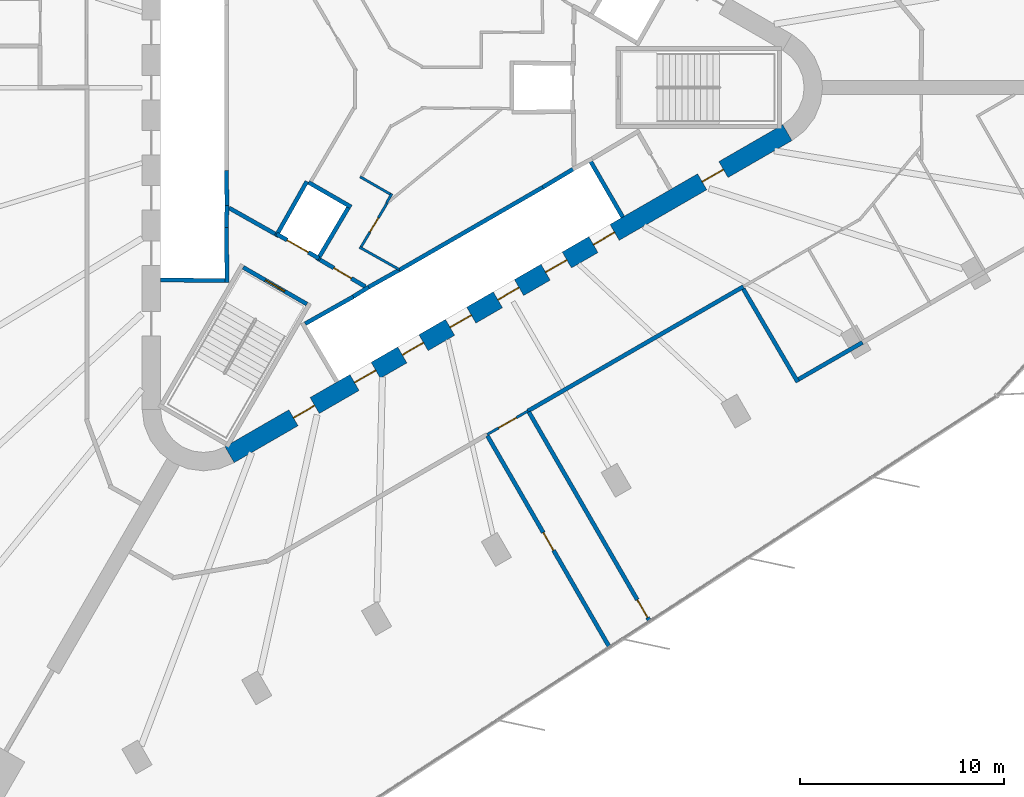
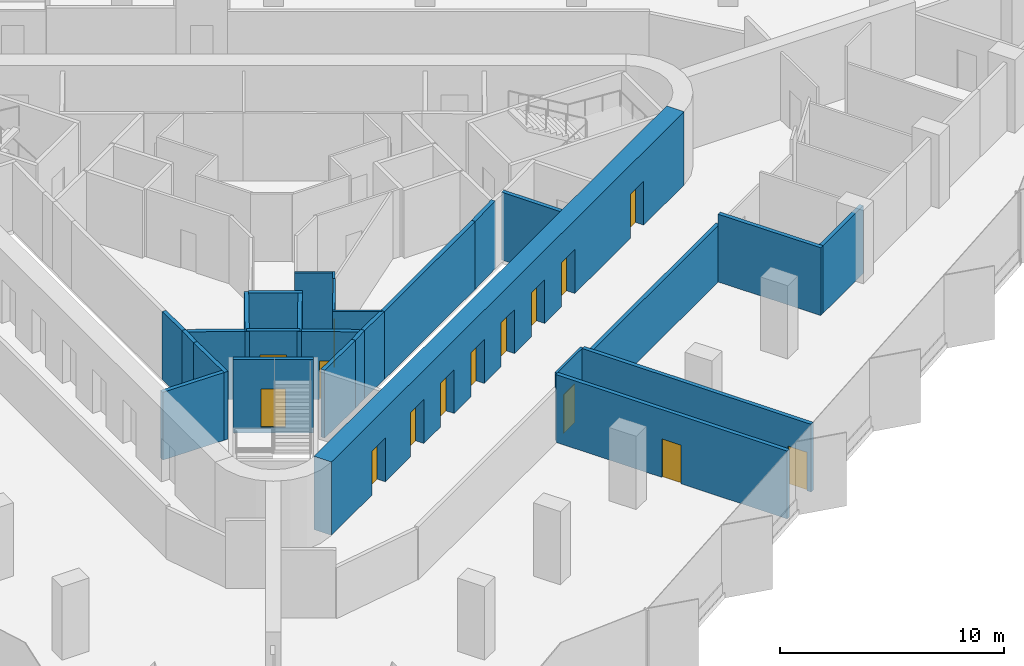
# One storey, part 8 of 14: 28 walls, 15 doors, 15 openings.
"""IFC4 building model written with IfcOpenShell, lengths in metres."""

from ifc_helpers import new_model, si_unit, direction, frame, frame_2d, origin, place, context, subcontext, project, spatial, rectangle, extrude, material, layer, layer_set, type_object, element, fill, save


model = new_model("IFC4")

# Units and contexts
model_context = context("Model", 3, precision=1e-05, world=origin(), true_north=direction((0.0, 1.0)))
body_context = subcontext(model_context, "Body", "Model", "MODEL_VIEW")
ifc_project = project(units=[si_unit("LENGTHUNIT", "METRE"), si_unit("AREAUNIT", "SQUARE_METRE"), si_unit("VOLUMEUNIT", "CUBIC_METRE"), si_unit("PLANEANGLEUNIT", "RADIAN"), si_unit("MASSUNIT", "GRAM", prefix="KILO")], contexts=[model_context])

# Site, building, storey
site_placement = place(None, origin())
site = spatial("IfcSite", under=ifc_project, at=site_placement, CompositionType="ELEMENT")
building_placement = place(site_placement, origin())
building = spatial("IfcBuilding", under=site, at=building_placement, Name="Tanit Gate Tower", CompositionType="ELEMENT")
storey_placement = place(building_placement, frame((0.0, 0.0, 213.199951171875)))
storey = spatial("IfcBuildingStorey", under=building, at=storey_placement, Name="L47", CompositionType="ELEMENT", Elevation=213.199951171875)

# Wall, openings, doors
ifc_material_1 = material(Name="Concrete C50/60", Category="concrete")
ifc_layer_1 = layer(ifc_material_1, 0.89990234375)
ifc_layer_set_1 = layer_set([ifc_layer_1], Name="CORE WALL 900 C50/60")
wall_type_1 = type_object("IfcWallType", Name="CORE WALL 900 C50/60", PredefinedType="SHEAR", material=ifc_layer_set_1)
wall_1_placement = place(storey_placement, frame((-7.824951171875, -17.969970703125, 0.0), z_axis=(0.0, 0.0, 1.0), x_axis=(0.866028369851, 0.499994862586, 0.0)))
wall_1 = element("IfcWall", 1, at=wall_1_placement, inside=storey, type_object=wall_type_1, Name="CORE WALL", PredefinedType="SHEAR", context=body_context, shape_type="SweptSolid", body=[
    extrude(rectangle(XDim=31.523193359375, YDim=0.89990234375, at=frame_2d((15.76171875, 0.0))), origin(), (0.0, 0.0, 1.0), 4.0),
])
opening_1_placement = place(wall_1_placement, frame((7.061767578125, 0.0, 0.0)))
opening_1 = element("IfcOpeningElement", 2, at=opening_1_placement, cuts=wall_1, Name="Opening LDSX1-S12", PredefinedType="OPENING", context=body_context, shape_type="SweptSolid", body=[
    extrude(rectangle(XDim=1.199951171875, YDim=2.39990234375, at=frame_2d((0.60009765625, 1.199951171875))), frame((0.0, 0.4599609375, 0.0), z_axis=(0.0, -1.0, 0.0), x_axis=(1.0, 0.0, 0.0)), (0.0, 0.0, 1.0), 0.919921875),
])
opening_2_placement = place(wall_1_placement, frame((9.76171875, 0.0, 0.0)))
opening_2 = element("IfcOpeningElement", 3, at=opening_2_placement, cuts=wall_1, Name="Opening LDSX2-S12", PredefinedType="OPENING", context=body_context, shape_type="SweptSolid", body=[
    extrude(rectangle(XDim=1.199951171875, YDim=2.39990234375, at=frame_2d((0.60009765625, 1.199951171875))), frame((0.0, 0.4599609375, 0.0), z_axis=(0.0, -1.0, 0.0), x_axis=(1.0, 0.0, 0.0)), (0.0, 0.0, 1.0), 0.919921875),
])
opening_3_placement = place(wall_1_placement, frame((12.461669921875, 0.0, 0.0)))
opening_3 = element("IfcOpeningElement", 4, at=opening_3_placement, cuts=wall_1, Name="Opening LDSX3-S12", PredefinedType="OPENING", context=body_context, shape_type="SweptSolid", body=[
    extrude(rectangle(XDim=1.199951171875, YDim=2.39990234375, at=frame_2d((0.60009765625, 1.199951171875))), frame((0.0, 0.4599609375, 0.0), z_axis=(0.0, -1.0, 0.0), x_axis=(1.0, 0.0, 0.0)), (0.0, 0.0, 1.0), 0.919921875),
])
opening_4_placement = place(wall_1_placement, frame((15.16162109375, 0.0, 0.0)))
opening_4 = element("IfcOpeningElement", 5, at=opening_4_placement, cuts=wall_1, Name="Opening LDSX4-S12", PredefinedType="OPENING", context=body_context, shape_type="SweptSolid", body=[
    extrude(rectangle(XDim=1.199951171875, YDim=2.39990234375, at=frame_2d((0.60009765625, 1.199951171875))), frame((0.0, 0.4599609375, 0.0), z_axis=(0.0, -1.0, 0.0), x_axis=(1.0, 0.0, 0.0)), (0.0, 0.0, 1.0), 0.919921875),
])
opening_5_placement = place(wall_1_placement, frame((17.861572265625, 0.0, 0.0)))
opening_5 = element("IfcOpeningElement", 6, at=opening_5_placement, cuts=wall_1, Name="Opening LDSV1-S12", PredefinedType="OPENING", context=body_context, shape_type="SweptSolid", body=[
    extrude(rectangle(XDim=1.199951171875, YDim=2.39990234375, at=frame_2d((0.60009765625, 1.199951171875))), frame((0.0, 0.4599609375, 0.0), z_axis=(0.0, -1.0, 0.0), x_axis=(1.0, 0.0, 0.0)), (0.0, 0.0, 1.0), 0.919921875),
])
opening_6_placement = place(wall_1_placement, frame((20.561767578125, 0.0, 0.0)))
opening_6 = element("IfcOpeningElement", 7, at=opening_6_placement, cuts=wall_1, Name="Opening LDSV2-S12", PredefinedType="OPENING", context=body_context, shape_type="SweptSolid", body=[
    extrude(rectangle(XDim=1.199951171875, YDim=2.39990234375, at=frame_2d((0.60009765625, 1.199951171875))), frame((0.0, 0.4599609375, 0.0), z_axis=(0.0, -1.0, 0.0), x_axis=(1.0, 0.0, 0.0)), (0.0, 0.0, 1.0), 0.919921875),
])
opening_7_placement = place(wall_1_placement, frame((26.711669921875, 0.0, 0.0)))
opening_7 = element("IfcOpeningElement", 8, at=opening_7_placement, cuts=wall_1, Name="Opening F12-S12-S1", PredefinedType="OPENING", context=body_context, shape_type="SweptSolid", body=[
    extrude(rectangle(XDim=1.199951171875, YDim=2.39990234375, at=frame_2d((0.60009765625, 1.199951171875))), frame((0.0, 0.4599609375, 0.0), z_axis=(0.0, -1.0, 0.0), x_axis=(1.0, 0.0, 0.0)), (0.0, 0.0, 1.0), 0.919921875),
])
opening_8_placement = place(wall_1_placement, frame((3.611572265625, 0.0, 0.0)))
opening_8 = element("IfcOpeningElement", 9, at=opening_8_placement, cuts=wall_1, Name="Opening F12-S12-FL3", PredefinedType="OPENING", context=body_context, shape_type="SweptSolid", body=[
    extrude(rectangle(XDim=1.199951171875, YDim=2.39990234375, at=frame_2d((0.60009765625, 1.199951171875))), frame((0.0, 0.4599609375, 0.0), z_axis=(0.0, -1.0, 0.0), x_axis=(1.0, 0.0, 0.0)), (0.0, 0.0, 1.0), 0.919921875),
])
ifc_material_2 = material(Name="Fire-rated steel door leaf", Category="steel")
door_type_1 = type_object("IfcDoorType", Name="INT-DOOR-FIRE-LOBBY-1200", OperationType="NOTDEFINED", PredefinedType="USERDEFINED", material=ifc_material_2)
door_1_placement = place(opening_7_placement, origin())
door_1 = element("IfcDoor", 10, at=door_1_placement, inside=storey, type_object=door_type_1, Name="Door F12-S12-S1", ObjectType="FIRE DOOR", OperationType="SINGLE_SWING_LEFT", OverallHeight=2.39990234375, OverallWidth=1.199951171875, PredefinedType="USERDEFINED", context=body_context, shape_type="SweptSolid", body=[
    extrude(rectangle(XDim=1.199951171875, YDim=2.39990234375, at=frame_2d((0.60009765625, 1.199951171875))), frame((0.0, 0.02490234375, 0.0), z_axis=(0.0, -1.0, 0.0), x_axis=(1.0, 0.0, 0.0)), (0.0, 0.0, 1.0), 0.050048828125),
])
fill(opening_7, door_1)
door_2_placement = place(opening_8_placement, origin())
door_2 = element("IfcDoor", 11, at=door_2_placement, inside=storey, type_object=door_type_1, Name="Door F12-S12-FL3", ObjectType="FIRE DOOR", OperationType="SINGLE_SWING_LEFT", OverallHeight=2.39990234375, OverallWidth=1.199951171875, PredefinedType="USERDEFINED", context=body_context, shape_type="SweptSolid", body=[
    extrude(rectangle(XDim=1.199951171875, YDim=2.39990234375, at=frame_2d((0.60009765625, 1.199951171875))), frame((0.0, 0.02490234375, 0.0), z_axis=(0.0, -1.0, 0.0), x_axis=(1.0, 0.0, 0.0)), (0.0, 0.0, 1.0), 0.050048828125),
])
fill(opening_8, door_2)
ifc_material_3 = material(Name="Stainless steel sliding door leaf", Category="steel")
door_type_2 = type_object("IfcDoorType", Name="INT-DOOR-LANDING-1200", OperationType="NOTDEFINED", PredefinedType="USERDEFINED", material=ifc_material_3)
door_3_placement = place(opening_1_placement, origin())
door_3 = element("IfcDoor", 12, at=door_3_placement, inside=storey, type_object=door_type_2, Name="Door LDSX1-S12", ObjectType="LANDING DOOR", OperationType="SLIDING_TO_LEFT", OverallHeight=2.39990234375, OverallWidth=1.199951171875, PredefinedType="USERDEFINED", context=body_context, shape_type="SweptSolid", body=[
    extrude(rectangle(XDim=1.199951171875, YDim=2.39990234375, at=frame_2d((0.60009765625, 1.199951171875))), frame((0.0, 0.02490234375, 0.0), z_axis=(0.0, -1.0, 0.0), x_axis=(1.0, 0.0, 0.0)), (0.0, 0.0, 1.0), 0.050048828125),
])
fill(opening_1, door_3)
door_4_placement = place(opening_2_placement, origin())
door_4 = element("IfcDoor", 13, at=door_4_placement, inside=storey, type_object=door_type_2, Name="Door LDSX2-S12", ObjectType="LANDING DOOR", OperationType="SLIDING_TO_LEFT", OverallHeight=2.39990234375, OverallWidth=1.199951171875, PredefinedType="USERDEFINED", context=body_context, shape_type="SweptSolid", body=[
    extrude(rectangle(XDim=1.199951171875, YDim=2.39990234375, at=frame_2d((0.60009765625, 1.199951171875))), frame((0.0, 0.02490234375, 0.0), z_axis=(0.0, -1.0, 0.0), x_axis=(1.0, 0.0, 0.0)), (0.0, 0.0, 1.0), 0.050048828125),
])
fill(opening_2, door_4)
door_5_placement = place(opening_3_placement, origin())
door_5 = element("IfcDoor", 14, at=door_5_placement, inside=storey, type_object=door_type_2, Name="Door LDSX3-S12", ObjectType="LANDING DOOR", OperationType="SLIDING_TO_LEFT", OverallHeight=2.39990234375, OverallWidth=1.199951171875, PredefinedType="USERDEFINED", context=body_context, shape_type="SweptSolid", body=[
    extrude(rectangle(XDim=1.199951171875, YDim=2.39990234375, at=frame_2d((0.60009765625, 1.199951171875))), frame((0.0, 0.02490234375, 0.0), z_axis=(0.0, -1.0, 0.0), x_axis=(1.0, 0.0, 0.0)), (0.0, 0.0, 1.0), 0.050048828125),
])
fill(opening_3, door_5)
door_6_placement = place(opening_4_placement, origin())
door_6 = element("IfcDoor", 15, at=door_6_placement, inside=storey, type_object=door_type_2, Name="Door LDSX4-S12", ObjectType="LANDING DOOR", OperationType="SLIDING_TO_LEFT", OverallHeight=2.39990234375, OverallWidth=1.199951171875, PredefinedType="USERDEFINED", context=body_context, shape_type="SweptSolid", body=[
    extrude(rectangle(XDim=1.199951171875, YDim=2.39990234375, at=frame_2d((0.60009765625, 1.199951171875))), frame((0.0, 0.02490234375, 0.0), z_axis=(0.0, -1.0, 0.0), x_axis=(1.0, 0.0, 0.0)), (0.0, 0.0, 1.0), 0.050048828125),
])
fill(opening_4, door_6)
door_7_placement = place(opening_5_placement, origin())
door_7 = element("IfcDoor", 16, at=door_7_placement, inside=storey, type_object=door_type_2, Name="Door LDSV1-S12", ObjectType="LANDING DOOR", OperationType="SLIDING_TO_LEFT", OverallHeight=2.39990234375, OverallWidth=1.199951171875, PredefinedType="USERDEFINED", context=body_context, shape_type="SweptSolid", body=[
    extrude(rectangle(XDim=1.199951171875, YDim=2.39990234375, at=frame_2d((0.60009765625, 1.199951171875))), frame((0.0, 0.02490234375, 0.0), z_axis=(0.0, -1.0, 0.0), x_axis=(1.0, 0.0, 0.0)), (0.0, 0.0, 1.0), 0.050048828125),
])
fill(opening_5, door_7)
door_8_placement = place(opening_6_placement, origin())
door_8 = element("IfcDoor", 17, at=door_8_placement, inside=storey, type_object=door_type_2, Name="Door LDSV2-S12", ObjectType="LANDING DOOR", OperationType="SLIDING_TO_LEFT", OverallHeight=2.39990234375, OverallWidth=1.199951171875, PredefinedType="USERDEFINED", context=body_context, shape_type="SweptSolid", body=[
    extrude(rectangle(XDim=1.199951171875, YDim=2.39990234375, at=frame_2d((0.60009765625, 1.199951171875))), frame((0.0, 0.02490234375, 0.0), z_axis=(0.0, -1.0, 0.0), x_axis=(1.0, 0.0, 0.0)), (0.0, 0.0, 1.0), 0.050048828125),
])
fill(opening_6, door_8)

# Wall
ifc_material_4 = material(Name="Fire-rated gypsum board partition")
ifc_layer_2 = layer(ifc_material_4, 0.199951171875)
ifc_layer_set_2 = layer_set([ifc_layer_2], Name="INT-WALL-COMPARTMENT")
wall_type_2 = type_object("IfcWallType", Name="INT-WALL-COMPARTMENT", PredefinedType="PARTITIONING", material=ifc_layer_set_2)
wall_2_placement = place(storey_placement, frame((-7.84912109375, -5.893798828125, 0.0), z_axis=(0.0, 0.0, 1.0), x_axis=(0.871340486379, -0.490678873396, 0.0)))
element("IfcWall", 18, at=wall_2_placement, inside=storey, type_object=wall_type_2, Name="Wall Compartment W063", PredefinedType="PARTITIONING", context=body_context, shape_type="SweptSolid", body=[
    extrude(rectangle(XDim=2.580810546875, YDim=0.199951171875, at=frame_2d((1.29052734375, 0.0))), origin(), (0.0, 0.0, 1.0), 3.699951171875),
])

# Wall, opening, door
wall_3_placement = place(storey_placement, frame((-3.400634765625, -8.43017578125, 0.0), z_axis=(0.0, 0.0, 1.0), x_axis=(0.860598681535, -0.509283721849, 0.0)))
wall_3 = element("IfcWall", 19, at=wall_3_placement, inside=storey, type_object=wall_type_2, Name="Wall Compartment W064", PredefinedType="PARTITIONING", context=body_context, shape_type="SweptSolid", body=[
    extrude(rectangle(XDim=2.5810546875, YDim=0.199951171875, at=frame_2d((1.29052734375, 0.0))), origin(), (0.0, 0.0, 1.0), 3.699951171875),
])
opening_9_placement = place(wall_3_placement, frame((0.79052734375, 0.0, 0.0)))
opening_9 = element("IfcOpeningElement", 20, at=opening_9_placement, cuts=wall_3, Name="Opening F10-S12-08", PredefinedType="OPENING", context=body_context, shape_type="SweptSolid", body=[
    extrude(rectangle(XDim=1.0, YDim=2.10009765625, at=frame_2d((0.5, 1.050048828125))), frame((0.0, 0.10986328125, 0.0), z_axis=(0.0, -1.0, 0.0), x_axis=(1.0, 0.0, 0.0)), (0.0, 0.0, 1.0), 0.219970703125),
])
ifc_material_5 = material(Name="Fire-rated steel door leaf", Category="steel")
door_type_3 = type_object("IfcDoorType", Name="INT-DOOR-FIRE-1000", OperationType="NOTDEFINED", PredefinedType="USERDEFINED", material=ifc_material_5)
door_9_placement = place(opening_9_placement, origin())
door_9 = element("IfcDoor", 21, at=door_9_placement, inside=storey, type_object=door_type_3, Name="Door F10-S12-08", ObjectType="FIRE DOOR", OperationType="SINGLE_SWING_RIGHT", OverallHeight=2.10009765625, OverallWidth=1.0, PredefinedType="USERDEFINED", context=body_context, shape_type="SweptSolid", body=[
    extrude(rectangle(XDim=1.0, YDim=2.10009765625, at=frame_2d((0.5, 1.050048828125))), frame((0.0, 0.02490234375, 0.0), z_axis=(0.0, -1.0, 0.0), x_axis=(1.0, 0.0, 0.0)), (0.0, 0.0, 1.0), 0.050048828125),
])
fill(opening_9, door_9)

# Wall
wall_4_placement = place(storey_placement, frame((6.774658203125, -15.833984375, 0.0), z_axis=(0.0, 0.0, 1.0), x_axis=(0.86602903513, 0.499993710272, 0.0)))
element("IfcWall", 22, at=wall_4_placement, inside=storey, type_object=wall_type_2, Name="Wall Compartment W110", PredefinedType="PARTITIONING", context=body_context, shape_type="SweptSolid", body=[
    extrude(rectangle(XDim=12.179931640625, YDim=0.199951171875, at=frame_2d((6.08984375, 0.0))), origin(), (0.0, 0.0, 1.0), 3.070068359375),
])

# Wall, opening, door
wall_5_placement = place(storey_placement, frame((12.731201171875, -26.111083984375, 0.0), z_axis=(0.0, 0.0, 1.0), x_axis=(-0.499996044039, 0.866027687748, 0.0)))
wall_5 = element("IfcWall", 23, at=wall_5_placement, inside=storey, type_object=wall_type_2, Name="Wall Compartment W136", PredefinedType="PARTITIONING", context=body_context, shape_type="SweptSolid", body=[
    extrude(rectangle(XDim=11.818359375, YDim=0.199951171875, at=frame_2d((5.9091796875, 0.0))), origin(), (0.0, 0.0, 1.0), 3.699951171875),
])
opening_10_placement = place(wall_5_placement, frame((0.199951171875, 0.0, 0.0)))
opening_10 = element("IfcOpeningElement", 24, at=opening_10_placement, cuts=wall_5, Name="Opening F10-S12-34", PredefinedType="OPENING", context=body_context, shape_type="SweptSolid", body=[
    extrude(rectangle(XDim=1.0, YDim=2.10009765625, at=frame_2d((0.5, 1.050048828125))), frame((0.0, 0.10986328125, 0.0), z_axis=(0.0, -1.0, 0.0), x_axis=(1.0, 0.0, 0.0)), (0.0, 0.0, 1.0), 0.219970703125),
])
door_10_placement = place(opening_10_placement, origin())
door_10 = element("IfcDoor", 25, at=door_10_placement, inside=storey, type_object=door_type_3, Name="Door F10-S12-34", ObjectType="FIRE DOOR", OperationType="SINGLE_SWING_RIGHT", OverallHeight=2.10009765625, OverallWidth=1.0, PredefinedType="USERDEFINED", context=body_context, shape_type="SweptSolid", body=[
    extrude(rectangle(XDim=1.0, YDim=2.10009765625, at=frame_2d((0.5, 1.050048828125))), frame((0.0, 0.02490234375, 0.0), z_axis=(0.0, -1.0, 0.0), x_axis=(1.0, 0.0, 0.0)), (0.0, 0.0, 1.0), 0.050048828125),
])
fill(opening_10, door_10)

wall_6_placement = place(storey_placement, frame((4.79541015625, -17.0458984375, 0.0), z_axis=(0.0, 0.0, 1.0), x_axis=(0.500005050573, -0.866022487815, 0.0)))
wall_6 = element("IfcWall", 26, at=wall_6_placement, inside=storey, type_object=wall_type_2, Name="Wall Compartment W137", PredefinedType="PARTITIONING", context=body_context, shape_type="SweptSolid", body=[
    extrude(rectangle(XDim=11.9404296875, YDim=0.199951171875, at=frame_2d((5.97021484375, 0.0))), origin(), (0.0, 0.0, 1.0), 3.699951171875),
])
opening_11_placement = place(wall_6_placement, frame((5.47021484375, 0.0, 0.0)))
opening_11 = element("IfcOpeningElement", 27, at=opening_11_placement, cuts=wall_6, Name="Opening F10-S12-35", PredefinedType="OPENING", context=body_context, shape_type="SweptSolid", body=[
    extrude(rectangle(XDim=1.0, YDim=2.10009765625, at=frame_2d((0.5, 1.050048828125))), frame((0.0, 0.10986328125, 0.0), z_axis=(0.0, -1.0, 0.0), x_axis=(1.0, 0.0, 0.0)), (0.0, 0.0, 1.0), 0.219970703125),
])
door_11_placement = place(opening_11_placement, origin())
door_11 = element("IfcDoor", 28, at=door_11_placement, inside=storey, type_object=door_type_3, Name="Door F10-S12-35", ObjectType="FIRE DOOR", OperationType="SINGLE_SWING_LEFT", OverallHeight=2.10009765625, OverallWidth=1.0, PredefinedType="USERDEFINED", context=body_context, shape_type="SweptSolid", body=[
    extrude(rectangle(XDim=1.0, YDim=2.10009765625, at=frame_2d((0.5, 1.050048828125))), frame((0.0, 0.02490234375, 0.0), z_axis=(0.0, -1.0, 0.0), x_axis=(1.0, 0.0, 0.0)), (0.0, 0.0, 1.0), 0.050048828125),
])
fill(opening_11, door_11)

# Walls
wall_7_placement = place(storey_placement, frame((17.3212890625, -9.8603515625, 0.0), z_axis=(0.0, 0.0, 1.0), x_axis=(0.5049171161, -0.863167831809, 0.0)))
element("IfcWall", 29, at=wall_7_placement, inside=storey, type_object=wall_type_2, Name="Wall Compartment W138", PredefinedType="PARTITIONING", context=body_context, shape_type="SweptSolid", body=[
    extrude(rectangle(XDim=5.280029296875, YDim=0.199951171875, at=frame_2d((2.64013671875, 0.0))), origin(), (0.0, 0.0, 1.0), 3.699951171875),
])
wall_8_placement = place(storey_placement, frame((23.148681640625, -12.477294921875, 0.0), z_axis=(0.0, 0.0, 1.0), x_axis=(-0.866015466884, -0.500017210822, 0.0)))
element("IfcWall", 30, at=wall_8_placement, inside=storey, type_object=wall_type_2, Name="Wall Compartment W139", PredefinedType="PARTITIONING", context=body_context, shape_type="SweptSolid", body=[
    extrude(rectangle(XDim=3.608642578125, YDim=0.199951171875, at=frame_2d((1.80419921875, 0.0))), origin(), (0.0, 0.0, 1.0), 3.699951171875),
])
ifc_material_6 = material(Name="Gypsum board partition")
ifc_layer_3 = layer(ifc_material_6, 0.1201171875)
ifc_layer_set_3 = layer_set([ifc_layer_3], Name="INT-WALL-PARTITION")
wall_type_3 = type_object("IfcWallType", Name="INT-WALL-PARTITION", PredefinedType="PARTITIONING", material=ifc_layer_set_3)
wall_9_placement = place(storey_placement, frame((-1.464111328125, -7.81591796875, 0.0), z_axis=(0.0, 0.0, 1.0), x_axis=(0.871880202732, -0.489719217597, 0.0)))
element("IfcWall", 31, at=wall_9_placement, inside=storey, type_object=wall_type_3, Name="Wall Partition W069", PredefinedType="PARTITIONING", context=body_context, shape_type="SweptSolid", body=[
    extrude(rectangle(XDim=2.224365234375, YDim=0.1201171875, at=frame_2d((1.1123046875, 0.0))), origin(), (0.0, 0.0, 1.0), 3.699951171875),
])

# Wall, opening, door
wall_10_placement = place(storey_placement, frame((-0.118896484375, -5.664306640625, 0.0), z_axis=(0.0, 0.0, 1.0), x_axis=(-0.509948384343, -0.860205001907, 0.0)))
wall_10 = element("IfcWall", 32, at=wall_10_placement, inside=storey, type_object=wall_type_3, Name="Wall Partition W070", PredefinedType="PARTITIONING", context=body_context, shape_type="SweptSolid", body=[
    extrude(rectangle(XDim=2.47509765625, YDim=0.1201171875, at=frame_2d((1.237548828125, 0.0))), origin(), (0.0, 0.0, 1.0), 3.699951171875),
])
opening_12_placement = place(wall_10_placement, frame((0.837646484375, 0.0, 0.0)))
opening_12 = element("IfcOpeningElement", 33, at=opening_12_placement, cuts=wall_10, Name="Opening R08-S12-11", PredefinedType="OPENING", context=body_context, shape_type="SweptSolid", body=[
    extrude(rectangle(XDim=0.800048828125, YDim=2.10009765625, at=frame_2d((0.39990234375, 1.050048828125))), frame((0.0, 0.070068359375, 0.0), z_axis=(0.0, -1.0, 0.0), x_axis=(1.0, 0.0, 0.0)), (0.0, 0.0, 1.0), 0.14013671875),
])
ifc_material_7 = material(Name="Timber door leaf", Category="wood")
door_type_4 = type_object("IfcDoorType", Name="INT-DOOR-RISER-800", OperationType="NOTDEFINED", PredefinedType="USERDEFINED", material=ifc_material_7)
door_12_placement = place(opening_12_placement, origin())
door_12 = element("IfcDoor", 34, at=door_12_placement, inside=storey, type_object=door_type_4, Name="Door R08-S12-11", ObjectType="FIRE DOOR", OperationType="SINGLE_SWING_LEFT", OverallHeight=2.10009765625, OverallWidth=0.800048828125, PredefinedType="USERDEFINED", context=body_context, shape_type="SweptSolid", body=[
    extrude(rectangle(XDim=0.800048828125, YDim=2.10009765625, at=frame_2d((0.39990234375, 1.050048828125))), frame((0.0, 0.02490234375, 0.0), z_axis=(0.0, -1.0, 0.0), x_axis=(1.0, 0.0, 0.0)), (0.0, 0.0, 1.0), 0.050048828125),
])
fill(opening_12, door_12)

# Walls
wall_11_placement = place(storey_placement, frame((-0.14404296875, -5.6494140625, 0.0), z_axis=(0.0, 0.0, 1.0), x_axis=(0.499843319224, 0.866115844577, 0.0)))
element("IfcWall", 35, at=wall_11_placement, inside=storey, type_object=wall_type_3, Name="Wall Partition W072", PredefinedType="PARTITIONING", context=body_context, shape_type="SweptSolid", body=[
    extrude(rectangle(XDim=0.524658203125, YDim=0.1201171875, at=frame_2d((0.26220703125, 0.0))), origin(), (0.0, 0.0, 1.0), 3.699951171875),
])
wall_12_placement = place(storey_placement, frame((-1.43603515625, -4.3671875, 0.0), z_axis=(0.0, 0.0, 1.0), x_axis=(0.866087547558, -0.499892348375, 0.0)))
element("IfcWall", 36, at=wall_12_placement, inside=storey, type_object=wall_type_3, Name="Wall Partition W073", PredefinedType="PARTITIONING", context=body_context, shape_type="SweptSolid", body=[
    extrude(rectangle(XDim=1.699951171875, YDim=0.1201171875, at=frame_2d((0.85009765625, 0.0))), origin(), (0.0, 0.0, 1.0), 3.699951171875),
])

# Wall, opening, door
wall_13_placement = place(storey_placement, frame((6.774658203125, -15.833984375, 0.0), z_axis=(0.0, 0.0, 1.0), x_axis=(-0.866007057882, -0.500031774688, 0.0)))
wall_13 = element("IfcWall", 37, at=wall_13_placement, inside=storey, type_object=wall_type_3, Name="Wall Partition W109", PredefinedType="PARTITIONING", context=body_context, shape_type="SweptSolid", body=[
    extrude(rectangle(XDim=2.300048828125, YDim=0.1201171875, at=frame_2d((1.14990234375, 0.0))), origin(), (0.0, 0.0, 1.0), 3.699951171875),
])
opening_13_placement = place(wall_13_placement, frame((0.64990234375, 0.0, 0.0)))
opening_13 = element("IfcOpeningElement", 38, at=opening_13_placement, cuts=wall_13, Name="Opening D10-S12-20", PredefinedType="OPENING", context=body_context, shape_type="SweptSolid", body=[
    extrude(rectangle(XDim=1.0, YDim=2.10009765625, at=frame_2d((0.5, 1.050048828125))), frame((0.0, 0.070068359375, 0.0), z_axis=(0.0, -1.0, 0.0), x_axis=(1.0, 0.0, 0.0)), (0.0, 0.0, 1.0), 0.14013671875),
])
ifc_material_8 = material(Name="Timber door leaf", Category="wood")
door_type_5 = type_object("IfcDoorType", Name="INT-DOOR-SINGLE-1000", OperationType="NOTDEFINED", PredefinedType="NOTDEFINED", material=ifc_material_8)
door_13_placement = place(opening_13_placement, origin())
door_13 = element("IfcDoor", 39, at=door_13_placement, inside=storey, type_object=door_type_5, Name="Door D10-S12-20", OperationType="SINGLE_SWING_RIGHT", OverallHeight=2.10009765625, OverallWidth=1.0, PredefinedType="NOTDEFINED", context=body_context, shape_type="SweptSolid", body=[
    extrude(rectangle(XDim=1.0, YDim=2.10009765625, at=frame_2d((0.5, 1.050048828125))), frame((0.0, 0.02490234375, 0.0), z_axis=(0.0, -1.0, 0.0), x_axis=(1.0, 0.0, 0.0)), (0.0, 0.0, 1.0), 0.050048828125),
])
fill(opening_13, door_13)

# Walls
ifc_material_9 = material(Name="Gypsum shaft wall system")
ifc_layer_4 = layer(ifc_material_9, 0.199951171875)
ifc_layer_set_4 = layer_set([ifc_layer_4], Name="INT-WALL-SHAFT")
wall_type_4 = type_object("IfcWallType", Name="INT-WALL-SHAFT", PredefinedType="PLUMBINGWALL", material=ifc_layer_set_4)
wall_14_placement = place(storey_placement, frame((-7.949951171875, -5.7724609375, 0.0), z_axis=(0.0, 0.0, 1.0), x_axis=(-0.030803413295, -0.999525462272, 0.0)))
element("IfcWall", 40, at=wall_14_placement, inside=storey, type_object=wall_type_4, Name="Wall Shaft W008", PredefinedType="PLUMBINGWALL", context=body_context, shape_type="SweptSolid", body=[
    extrude(rectangle(XDim=1.077880859375, YDim=0.199951171875, at=frame_2d((0.5390625, 0.0))), origin(), (0.0, 0.0, 1.0), 3.699951171875),
])
wall_15_placement = place(storey_placement, frame((-7.97998046875, -4.050048828125, 0.0), z_axis=(0.0, 0.0, 1.0), x_axis=(0.016809909365, -0.999858703491, 0.0)))
element("IfcWall", 41, at=wall_15_placement, inside=storey, type_object=wall_type_4, Name="Wall Shaft W009", PredefinedType="PLUMBINGWALL", context=body_context, shape_type="SweptSolid", body=[
    extrude(rectangle(XDim=1.844482421875, YDim=0.199951171875, at=frame_2d((0.92236328125, 0.0))), origin(), (0.0, 0.0, 1.0), 3.699951171875),
])
wall_16_placement = place(storey_placement, frame((-7.97900390625, -6.85009765625, 0.0), z_axis=(0.0, 0.0, 1.0), x_axis=(0.011121475088, -0.999938154483, 0.0)))
element("IfcWall", 42, at=wall_16_placement, inside=storey, type_object=wall_type_4, Name="Wall Shaft W010", PredefinedType="PLUMBINGWALL", context=body_context, shape_type="SweptSolid", body=[
    extrude(rectangle(XDim=2.7001953125, YDim=0.199951171875, at=frame_2d((1.35009765625, 0.0))), origin(), (0.0, 0.0, 1.0), 3.699951171875),
])
wall_17_placement = place(storey_placement, frame((-8.050048828125, -9.448974609375, 0.0), z_axis=(0.0, 0.0, 1.0), x_axis=(-0.999957467379, 0.009222983926, 0.0)))
element("IfcWall", 43, at=wall_17_placement, inside=storey, type_object=wall_type_4, Name="Wall Shaft W011", PredefinedType="PLUMBINGWALL", context=body_context, shape_type="SweptSolid", body=[
    extrude(rectangle(XDim=3.150146484375, YDim=0.199951171875, at=frame_2d((1.5751953125, 0.0))), origin(), (0.0, 0.0, 1.0), 3.699951171875),
])
wall_18_placement = place(storey_placement, frame((0.482666015625, -8.935791015625, 0.0), z_axis=(0.0, 0.0, 1.0), x_axis=(0.866030989016, 0.499990325971, 0.0)))
element("IfcWall", 44, at=wall_18_placement, inside=storey, type_object=wall_type_4, Name="Wall Shaft W023", PredefinedType="PLUMBINGWALL", context=body_context, shape_type="SweptSolid", body=[
    extrude(rectangle(XDim=8.099853515625, YDim=0.199951171875, at=frame_2d((4.0498046875, 0.0))), origin(), (0.0, 0.0, 1.0), 3.699951171875),
])
wall_19_placement = place(storey_placement, frame((9.794677734375, -3.52490234375, 0.0), z_axis=(0.0, 0.0, 1.0), x_axis=(0.499984717929, -0.866034226713, 0.0)))
element("IfcWall", 45, at=wall_19_placement, inside=storey, type_object=wall_type_4, Name="Wall Shaft W016", PredefinedType="PLUMBINGWALL", context=body_context, shape_type="SweptSolid", body=[
    extrude(rectangle(XDim=3.25, YDim=0.199951171875, at=frame_2d((1.625, 0.0))), origin(), (0.0, 0.0, 1.0), 3.699951171875),
])
wall_20_placement = place(storey_placement, frame((7.497314453125, -4.885986328125, 0.0), z_axis=(0.0, 0.0, 1.0), x_axis=(0.857516281273, 0.51445682749, 0.0)))
element("IfcWall", 46, at=wall_20_placement, inside=storey, type_object=wall_type_4, Name="Wall Shaft W018", PredefinedType="PLUMBINGWALL", context=body_context, shape_type="SweptSolid", body=[
    extrude(rectangle(XDim=1.8447265625, YDim=0.199951171875, at=frame_2d((0.92236328125, 0.0))), origin(), (0.0, 0.0, 1.0), 3.699951171875),
])
wall_21_placement = place(storey_placement, frame((-1.7685546875, -10.23681640625, 0.0), z_axis=(0.0, 0.0, 1.0), x_axis=(-0.871534483978, -0.490334215854, 0.0)))
element("IfcWall", 47, at=wall_21_placement, inside=storey, type_object=wall_type_4, Name="Wall Shaft W020", PredefinedType="PLUMBINGWALL", context=body_context, shape_type="SweptSolid", body=[
    extrude(rectangle(XDim=2.7001953125, YDim=0.199951171875, at=frame_2d((1.35009765625, 0.0))), origin(), (0.0, 0.0, 1.0), 3.699951171875),
])
wall_22_placement = place(storey_placement, frame((-1.02392578125, -9.77099609375, 0.0), z_axis=(0.0, 0.0, 1.0), x_axis=(-0.850348075135, -0.526220629693, 0.0)))
element("IfcWall", 48, at=wall_22_placement, inside=storey, type_object=wall_type_4, Name="Wall Shaft W021", PredefinedType="PLUMBINGWALL", context=body_context, shape_type="SweptSolid", body=[
    extrude(rectangle(XDim=0.878173828125, YDim=0.199951171875, at=frame_2d((0.43896484375, 0.0))), origin(), (0.0, 0.0, 1.0), 3.699951171875),
])
wall_23_placement = place(storey_placement, frame((-1.13037109375, -9.83154296875, 0.0), z_axis=(0.0, 0.0, 1.0), x_axis=(0.871988740738, 0.489525929882, 0.0)))
element("IfcWall", 49, at=wall_23_placement, inside=storey, type_object=wall_type_4, Name="Wall Shaft W022", PredefinedType="PLUMBINGWALL", context=body_context, shape_type="SweptSolid", body=[
    extrude(rectangle(XDim=1.8447265625, YDim=0.199951171875, at=frame_2d((0.92236328125, 0.0))), origin(), (0.0, 0.0, 1.0), 3.699951171875),
])

# Wall, opening, door
wall_24_placement = place(storey_placement, frame((-3.44580078125, -8.3681640625, 0.0), z_axis=(0.0, 0.0, 1.0), x_axis=(-0.866024647952, 0.500001309137, 0.0)))
wall_24 = element("IfcWall", 50, at=wall_24_placement, inside=storey, type_object=wall_type_4, Name="Wall Shaft W045", PredefinedType="PLUMBINGWALL", context=body_context, shape_type="SweptSolid", body=[
    extrude(rectangle(XDim=2.39990234375, YDim=0.199951171875, at=frame_2d((1.199951171875, 0.0))), origin(), (0.0, 0.0, 1.0), 3.699951171875),
])
opening_14_placement = place(wall_24_placement, frame((0.60009765625, 0.0, 0.0)))
opening_14 = element("IfcOpeningElement", 51, at=opening_14_placement, cuts=wall_24, Name="Opening LDFL3-L47", PredefinedType="OPENING", context=body_context, shape_type="SweptSolid", body=[
    extrude(rectangle(XDim=1.199951171875, YDim=2.39990234375, at=frame_2d((0.60009765625, 1.199951171875))), frame((0.0, 0.10986328125, 0.0), z_axis=(0.0, -1.0, 0.0), x_axis=(1.0, 0.0, 0.0)), (0.0, 0.0, 1.0), 0.219970703125),
])
door_14_placement = place(opening_14_placement, origin())
door_14 = element("IfcDoor", 52, at=door_14_placement, inside=storey, type_object=door_type_2, Name="Door LDFL3-L47", ObjectType="LANDING DOOR", OperationType="SLIDING_TO_LEFT", OverallHeight=2.39990234375, OverallWidth=1.199951171875, PredefinedType="USERDEFINED", context=body_context, shape_type="SweptSolid", body=[
    extrude(rectangle(XDim=1.199951171875, YDim=2.39990234375, at=frame_2d((0.60009765625, 1.199951171875))), frame((0.0, 0.02490234375, 0.0), z_axis=(0.0, -1.0, 0.0), x_axis=(1.0, 0.0, 0.0)), (0.0, 0.0, 1.0), 0.050048828125),
])
fill(opening_14, door_14)

# Walls
wall_25_placement = place(storey_placement, frame((-5.5625, -7.29638671875, 0.0), z_axis=(0.0, 0.0, 1.0), x_axis=(0.491322718731, 0.870977603649, 0.0)))
element("IfcWall", 53, at=wall_25_placement, inside=storey, type_object=wall_type_4, Name="Wall Shaft W046", PredefinedType="PLUMBINGWALL", context=body_context, shape_type="SweptSolid", body=[
    extrude(rectangle(XDim=3.10009765625, YDim=0.199951171875, at=frame_2d((1.550048828125, 0.0))), origin(), (0.0, 0.0, 1.0), 3.699951171875),
])
wall_26_placement = place(storey_placement, frame((-3.95654296875, -4.643798828125, 0.0), z_axis=(0.0, 0.0, 1.0), x_axis=(0.865991127953, -0.500059362782, 0.0)))
element("IfcWall", 54, at=wall_26_placement, inside=storey, type_object=wall_type_4, Name="Wall Shaft W047", PredefinedType="PLUMBINGWALL", context=body_context, shape_type="SweptSolid", body=[
    extrude(rectangle(XDim=2.404541015625, YDim=0.199951171875, at=frame_2d((1.2021484375, 0.0))), origin(), (0.0, 0.0, 1.0), 3.699951171875),
])
wall_27_placement = place(storey_placement, frame((-2.01171875, -5.88232421875, 0.0), z_axis=(0.0, 0.0, 1.0), x_axis=(-0.508619639323, -0.860991325447, 0.0)))
element("IfcWall", 55, at=wall_27_placement, inside=storey, type_object=wall_type_4, Name="Wall Shaft W048", PredefinedType="PLUMBINGWALL", context=body_context, shape_type="SweptSolid", body=[
    extrude(rectangle(XDim=3.0, YDim=0.199951171875, at=frame_2d((1.5, 0.0))), origin(), (0.0, 0.0, 1.0), 3.699951171875),
])

# Wall, opening, door
ifc_material_10 = material(Name="Concrete C40/50", Category="concrete")
ifc_layer_5 = layer(ifc_material_10, 0.199951171875)
ifc_layer_set_5 = layer_set([ifc_layer_5], Name="INT-WALL-STAIR")
wall_type_5 = type_object("IfcWallType", Name="INT-WALL-STAIR", PredefinedType="SHEAR", material=ifc_layer_set_5)
wall_28_placement = place(storey_placement, frame((-4.041259765625, -10.599365234375, -0.300048828125), z_axis=(0.0, 0.0, 1.0), x_axis=(-0.866047807691, 0.499961193289, 0.0)))
wall_28 = element("IfcWall", 56, at=wall_28_placement, inside=storey, type_object=wall_type_5, Name="Wall Stair W044", PredefinedType="SHEAR", context=body_context, shape_type="SweptSolid", body=[
    extrude(rectangle(XDim=3.599853515625, YDim=0.199951171875, at=frame_2d((1.7998046875, 0.0))), origin(), (0.0, 0.0, 1.0), 4.0),
])
opening_15_placement = place(wall_28_placement, frame((1.25, 0.0, 0.300048828125)))
opening_15 = element("IfcOpeningElement", 57, at=opening_15_placement, cuts=wall_28, Name="Opening S11-S12-07", PredefinedType="OPENING", context=body_context, shape_type="SweptSolid", body=[
    extrude(rectangle(XDim=1.10009765625, YDim=2.10009765625, at=frame_2d((0.550048828125, 1.050048828125))), frame((0.0, 0.10986328125, 0.0), z_axis=(0.0, -1.0, 0.0), x_axis=(1.0, 0.0, 0.0)), (0.0, 0.0, 1.0), 0.219970703125),
])
ifc_material_11 = material(Name="Timber door leaf", Category="wood")
door_type_6 = type_object("IfcDoorType", Name="INT-DOOR-STAIR-1100", OperationType="NOTDEFINED", PredefinedType="USERDEFINED", material=ifc_material_11)
door_15_placement = place(opening_15_placement, origin())
door_15 = element("IfcDoor", 58, at=door_15_placement, inside=storey, type_object=door_type_6, Name="Door S11-S12-07", ObjectType="FIRE DOOR", OperationType="SINGLE_SWING_LEFT", OverallHeight=2.10009765625, OverallWidth=1.10009765625, PredefinedType="USERDEFINED", context=body_context, shape_type="SweptSolid", body=[
    extrude(rectangle(XDim=1.10009765625, YDim=2.10009765625, at=frame_2d((0.550048828125, 1.050048828125))), frame((0.0, 0.02490234375, 0.0), z_axis=(0.0, -1.0, 0.0), x_axis=(1.0, 0.0, 0.0)), (0.0, 0.0, 1.0), 0.050048828125),
])
fill(opening_15, door_15)

save(model, "model.ifc")
